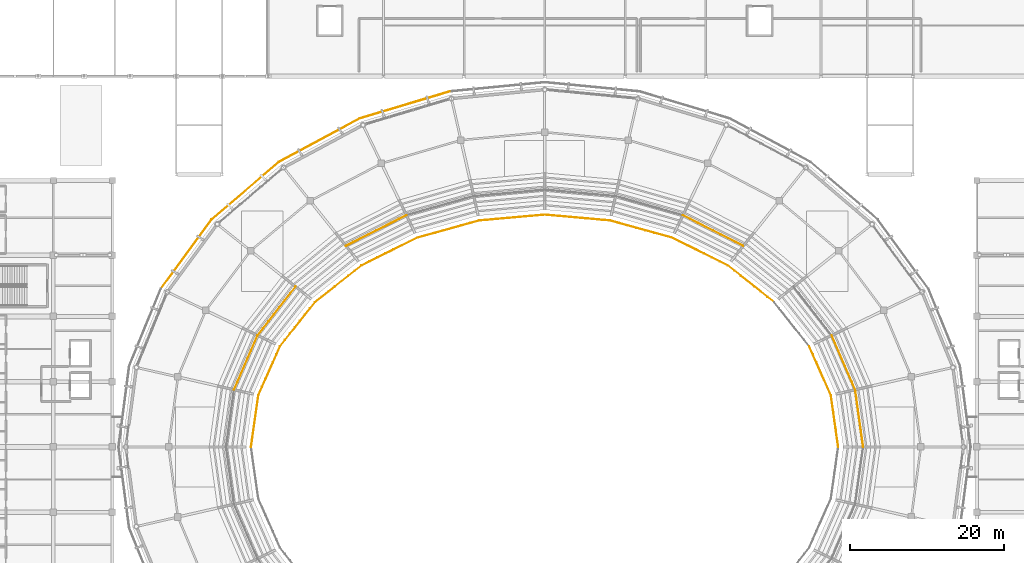
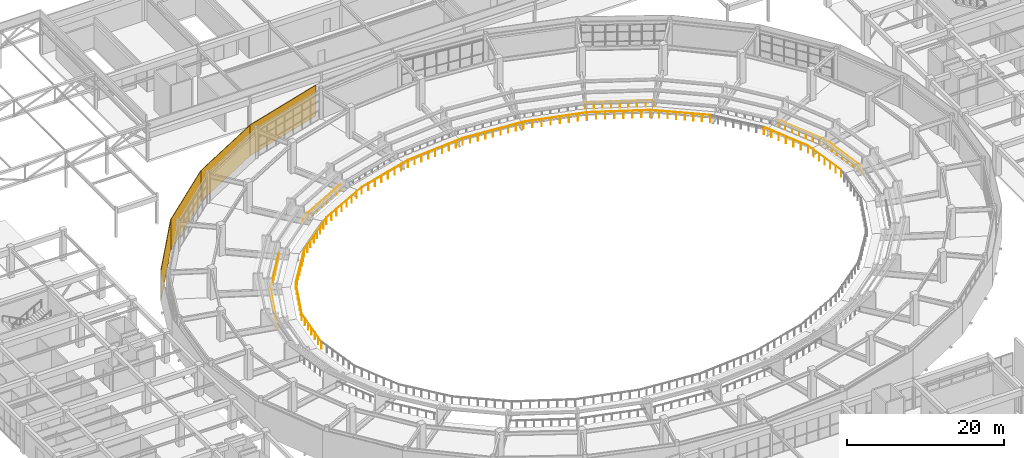
# One storey, part 117 of 122: 19 railings, 4 coverings.
"""IFC4 building model written with IfcOpenShell, lengths in metres."""

import ifcopenshell
import ifcopenshell.guid

model = None  # the IFC model being written
_history = None  # IfcOwnerHistory: only IFC2X3 demands one
_inside = {}  # id of a spatial element -> (the spatial element, [elements in it])
_under = {}  # id of a project, library or spatial element -> (it, [spatial elements below it])
_declared = {}  # id of a project -> (the project, [libraries it declares])
_typed = {}  # id of a type object -> (the type object, [elements of that type])
_made_of = {}  # id of a material, layer set ... -> (it, [elements and type objects made of it])


def new_model(schema):
    """Start an empty IFC model of exactly this schema.

    Asked for "IFC4X3", IfcOpenShell would pick the latest addendum, in which some entities
    have other attributes; the version numbers below select the first issue.
    IFC2X3 requires an IfcOwnerHistory on every rooted entity: one is made here for all.
    """
    global model, _history
    if schema == "IFC4X3":
        model = ifcopenshell.file(schema_version=(4, 3, 0, 0))
    else:
        model = ifcopenshell.file(schema=schema)
    _inside.clear()
    _under.clear()
    _declared.clear()
    _typed.clear()
    _made_of.clear()
    _history = None
    if model.schema == "IFC2X3":
        org = make("IfcOrganization", Name="unknown")
        user = make(
            "IfcPersonAndOrganization",
            ThePerson=make("IfcPerson", FamilyName="unknown"),
            TheOrganization=org,
        )
        app = make(
            "IfcApplication",
            ApplicationDeveloper=org,
            Version="unknown",
            ApplicationFullName="unknown",
            ApplicationIdentifier="unknown",
        )
        _history = make(
            "IfcOwnerHistory",
            OwningUser=user,
            OwningApplication=app,
            ChangeAction="ADDED",
            CreationDate=0,
        )
    return model


def make(cls, **values):
    """One entity of the class cls with the attributes given. An attribute that is None is left unset."""
    return model.create_entity(
        cls, **{name: value for name, value in values.items() if value is not None}
    )


def rooted(cls, **values):
    """An entity with a GlobalId (a new one), such as an element, a storey or a relation."""
    return make(cls, GlobalId=ifcopenshell.guid.new(), OwnerHistory=_history, **values)


def si_unit(unit_type, name, prefix=None):
    """IfcSIUnit, for example si_unit("LENGTHUNIT", "METRE", prefix="MILLI")."""
    return make("IfcSIUnit", UnitType=unit_type, Prefix=prefix, Name=name)


def assignment(units):
    """IfcUnitAssignment: the units of a project."""
    return None if units is None else make("IfcUnitAssignment", Units=units)


def point(xyz):
    """IfcCartesianPoint."""
    return None if xyz is None else make("IfcCartesianPoint", Coordinates=xyz)


def direction(xyz):
    """IfcDirection."""
    return None if xyz is None else make("IfcDirection", DirectionRatios=xyz)


def frame(location, z_axis=None, x_axis=None):
    """IfcAxis2Placement3D, a coordinate frame: its origin and axes. An axis left out is left unset."""
    return make(
        "IfcAxis2Placement3D",
        Location=point(location),
        Axis=direction(z_axis),
        RefDirection=direction(x_axis),
    )


def frame_2d(location, x_axis=None):
    """IfcAxis2Placement2D, a coordinate frame in the plane: its origin and x axis."""
    return make(
        "IfcAxis2Placement2D", Location=point(location), RefDirection=direction(x_axis)
    )


def origin():
    """The frame at (0, 0, 0) with its axes left unset."""
    return frame((0.0, 0.0, 0.0))


def origin_2d():
    """The frame at (0, 0) in the plane with its x axis left unset."""
    return frame_2d((0.0, 0.0))


def place(relative_to, where):
    """IfcLocalPlacement: puts the frame where relative to a parent placement (None: the world)."""
    return make(
        "IfcLocalPlacement", PlacementRelTo=relative_to, RelativePlacement=where
    )


def context(
    kind, dimensions, precision=None, world=None, true_north=None, identifier=None
):
    """IfcGeometricRepresentationContext, for example the 3D "Model" context."""
    return make(
        "IfcGeometricRepresentationContext",
        ContextIdentifier=identifier,
        ContextType=kind,
        CoordinateSpaceDimension=dimensions,
        Precision=precision,
        WorldCoordinateSystem=world,
        TrueNorth=true_north,
    )


def subcontext(parent, identifier, kind, view, scale=None):
    """IfcGeometricRepresentationSubContext, for example "Body" below "Model"."""
    return make(
        "IfcGeometricRepresentationSubContext",
        ContextIdentifier=identifier,
        ContextType=kind,
        ParentContext=parent,
        TargetScale=scale,
        TargetView=view,
    )


def project(units=None, contexts=None):
    """IfcProject with its units and contexts."""
    return rooted(
        "IfcProject",
        Name="project",
        RepresentationContexts=contexts,
        UnitsInContext=assignment(units),
    )


def spatial(cls, under=None, at=None, **own):
    """A site, building, storey or space (cls), placed at a placement, below another one or the project."""
    s = rooted(cls, ObjectPlacement=at, **own)
    if under is not None:
        _under.setdefault(under.id(), (under, []))[1].append(s)
    return s


def profile(cls, at=None, kind="AREA", **sizes):
    """A parametric profile (cls). Its sizes go by their IFC names, for example OverallWidth=200.0."""
    return make(cls, ProfileType=kind, Position=at, **sizes)


def rectangle(**sizes):
    """IfcRectangleProfileDef."""
    return profile("IfcRectangleProfileDef", **sizes)


def circle(**sizes):
    """IfcCircleProfileDef."""
    return profile("IfcCircleProfileDef", **sizes)


def extrude(swept, where, along, depth):
    """IfcExtrudedAreaSolid: the profile swept, set in the frame where, extruded along a direction by depth."""
    return make(
        "IfcExtrudedAreaSolid",
        SweptArea=swept,
        Position=where,
        ExtrudedDirection=direction(along),
        Depth=depth,
    )


def shape(context_of_items, identifier, shape_type, items):
    """IfcShapeRepresentation: the items that make up one representation, for example the "Body"."""
    return make(
        "IfcShapeRepresentation",
        ContextOfItems=context_of_items,
        RepresentationIdentifier=identifier,
        RepresentationType=shape_type,
        Items=items,
    )


def material(Name=None, Category=None):
    """IfcMaterial."""
    return make("IfcMaterial", Name=Name, Category=Category)


def layer(
    of_material, thickness, ventilated=None, Name=None, Category=None, Priority=None
):
    """IfcMaterialLayer: one layer of a wall or slab, of a material (None: an air gap)."""
    return make(
        "IfcMaterialLayer",
        Material=of_material,
        LayerThickness=thickness,
        IsVentilated=ventilated,
        Name=Name,
        Category=Category,
        Priority=Priority,
    )


def layer_set(layers, Name=None):
    """IfcMaterialLayerSet."""
    return make("IfcMaterialLayerSet", MaterialLayers=layers, LayerSetName=Name)


def made_of(thing, what):
    """Note that an element or type object is made of a material, layer set ...; save() writes the relation."""
    if what is not None:
        _made_of.setdefault(what.id(), (what, []))[1].append(thing)
    return thing


def type_object(cls, material=None, **own):
    """A type object (cls), such as IfcWallType, which elements share."""
    return made_of(rooted(cls, **own), material)


def element(
    cls,
    number,
    at=None,
    inside=None,
    cuts=None,
    type_object=None,
    material=None,
    context=None,
    identifier="Body",
    shape_type=None,
    held_by="IfcProductDefinitionShape",
    body=None,
    shapes=None,
    **own,
):
    """One element of the class cls, such as IfcWall. Its Tag is "e" and its number.

    at: its placement. inside: the storey or other place that contains it. cuts: it is an
    opening in that element (IfcRelVoidsElement). A single representation is given by context,
    identifier, shape_type and body (its items); several are given by shapes. held_by: the class
    of the entity that holds the representations. save() writes the other relations.
    """
    e = rooted(cls, Tag="e%d" % number, ObjectPlacement=at, **own)
    if body is not None:
        shapes = [shape(context, identifier, shape_type, body)]
    if shapes is not None:
        e.Representation = make(held_by, Representations=shapes)
    if inside is not None:
        _inside.setdefault(inside.id(), (inside, []))[1].append(e)
    if cuts is not None:
        rooted(
            "IfcRelVoidsElement", RelatingBuildingElement=cuts, RelatedOpeningElement=e
        )
    if type_object is not None:
        _typed.setdefault(type_object.id(), (type_object, []))[1].append(e)
    return made_of(e, material)


def aggregate(whole, parts):
    """IfcRelAggregates: a whole, such as a stair, and the parts it consists of."""
    return rooted("IfcRelAggregates", RelatingObject=whole, RelatedObjects=parts)


def save(model, path):
    """Write the relations noted so far, then the file.

    IfcRelAggregates (storeys below a building ...), IfcRelContainedInSpatialStructure (elements
    in a storey), IfcRelDefinesByType, IfcRelAssociatesMaterial and IfcRelDeclares: one each for
    every whole, place, type object, material and project.
    """
    for whole, parts in _under.values():
        aggregate(whole, parts)
    for where, things in _inside.values():
        rooted(
            "IfcRelContainedInSpatialStructure",
            RelatedElements=things,
            RelatingStructure=where,
        )
    for kind, things in _typed.values():
        rooted("IfcRelDefinesByType", RelatedObjects=things, RelatingType=kind)
    for what, things in _made_of.values():
        rooted("IfcRelAssociatesMaterial", RelatedObjects=things, RelatingMaterial=what)
    for by, libraries in _declared.values():
        rooted("IfcRelDeclares", RelatingContext=by, RelatedDefinitions=libraries)
    model.write(path)


model = new_model("IFC4")

# Units and contexts
model_context = context("Model", 3, precision=1e-05, world=origin(), true_north=direction((0.0, 1.0)))
body_context = subcontext(model_context, "Body", "Model", "MODEL_VIEW")
ifc_project = project(units=[si_unit("LENGTHUNIT", "METRE"), si_unit("AREAUNIT", "SQUARE_METRE"), si_unit("VOLUMEUNIT", "CUBIC_METRE"), si_unit("PLANEANGLEUNIT", "RADIAN"), si_unit("MASSUNIT", "GRAM", prefix="KILO")], contexts=[model_context])

# Site, building, storey
site_placement = place(None, origin())
site = spatial("IfcSite", under=ifc_project, at=site_placement, CompositionType="ELEMENT")
building_placement = place(site_placement, origin())
building = spatial("IfcBuilding", under=site, at=building_placement, Name="Cuetzalor Civic Arena", CompositionType="ELEMENT")
storey_placement = place(building_placement, frame((0.0, 0.0, 16.199951171875)))
storey = spatial("IfcBuildingStorey", under=building, at=storey_placement, Name="L03", CompositionType="ELEMENT", Elevation=16.199951171875)

# Railings
ifc_material_1 = material(Name="Reseda-green Steel S355 and laminated glass guard", Category="steel")
railing_type = type_object("IfcRailingType", Name="BowlSightlineGuard_1100", PredefinedType="BALUSTRADE", material=ifc_material_1)
railing_1_placement = place(storey_placement, frame((38.25, 0.0, 0.75)))
element("IfcRailing", 1, at=railing_1_placement, inside=storey, type_object=railing_type, Name="Upper Bowl Cantilever Sightline Guard S01", PredefinedType="BALUSTRADE", context=body_context, shape_type="SweptSolid", body=[
    extrude(circle(Radius=0.02392578125, at=origin_2d()), frame((0.0, 0.0, 1.076171875), z_axis=(-0.141044318144, 0.990003282984, 0.0), x_axis=(-0.990003282984, -0.141044318144, 0.0)), (0.0, 0.0, 1.0), 6.799072265625),
    extrude(circle(Radius=0.02099609375, at=origin_2d()), origin(), (0.0, 0.0, 1.0), 1.052001953125),
    extrude(circle(Radius=0.02099609375, at=origin_2d()), frame((-0.159912109375, 1.121826171875, 0.0)), (0.0, 0.0, 1.0), 1.052001953125),
    extrude(circle(Radius=0.02099609375, at=origin_2d()), frame((-0.319580078125, 2.24365234375, 0.0)), (0.0, 0.0, 1.0), 1.052001953125),
    extrude(circle(Radius=0.02099609375, at=origin_2d()), frame((-0.4794921875, 3.36572265625, 0.0)), (0.0, 0.0, 1.0), 1.052001953125),
    extrude(circle(Radius=0.02099609375, at=origin_2d()), frame((-0.639404296875, 4.487548828125, 0.0)), (0.0, 0.0, 1.0), 1.052001953125),
    extrude(circle(Radius=0.02099609375, at=origin_2d()), frame((-0.799072265625, 5.609375, 0.0)), (0.0, 0.0, 1.0), 1.052001953125),
    extrude(circle(Radius=0.02099609375, at=origin_2d()), frame((-0.958984375, 6.731201171875, 0.0)), (0.0, 0.0, 1.0), 1.052001953125),
])
railing_2_placement = place(storey_placement, frame((37.291015625, 6.731201171875, 0.75)))
element("IfcRailing", 2, at=railing_2_placement, inside=storey, type_object=railing_type, Name="Upper Bowl Cantilever Sightline Guard S02", PredefinedType="BALUSTRADE", context=body_context, shape_type="SweptSolid", body=[
    extrude(circle(Radius=0.02392578125, at=origin_2d()), frame((0.0, 0.0, 1.076171875), z_axis=(-0.404605422737, 0.914491362393, 0.0), x_axis=(-0.914491362393, -0.404605422737, 0.0)), (0.0, 0.0, 1.0), 6.99169921875),
    extrude(circle(Radius=0.02099609375, at=origin_2d()), origin(), (0.0, 0.0, 1.0), 1.052001953125),
    extrude(circle(Radius=0.02099609375, at=origin_2d()), frame((-0.471435546875, 1.065673828125, 0.0)), (0.0, 0.0, 1.0), 1.052001953125),
    extrude(circle(Radius=0.02099609375, at=origin_2d()), frame((-0.94287109375, 2.13134765625, 0.0)), (0.0, 0.0, 1.0), 1.052001953125),
    extrude(circle(Radius=0.02099609375, at=origin_2d()), frame((-1.41455078125, 3.19677734375, 0.0)), (0.0, 0.0, 1.0), 1.052001953125),
    extrude(circle(Radius=0.02099609375, at=origin_2d()), frame((-1.885986328125, 4.262451171875, 0.0)), (0.0, 0.0, 1.0), 1.052001953125),
    extrude(circle(Radius=0.02099609375, at=origin_2d()), frame((-2.357421875, 5.328125, 0.0)), (0.0, 0.0, 1.0), 1.052001953125),
    extrude(circle(Radius=0.02099609375, at=origin_2d()), frame((-2.828857421875, 6.393798828125, 0.0)), (0.0, 0.0, 1.0), 1.052001953125),
])
railing_3_placement = place(storey_placement, frame((29.905029296875, 18.860595703125, 0.75)))
element("IfcRailing", 3, at=railing_3_placement, inside=storey, type_object=railing_type, Name="Upper Bowl Cantilever Sightline Guard S04", PredefinedType="BALUSTRADE", context=body_context, shape_type="SweptSolid", body=[
    extrude(circle(Radius=0.02392578125, at=origin_2d()), frame((0.0, 0.0, 1.076171875), z_axis=(-0.784363717402, 0.620301183961, 0.0), x_axis=(-0.620301183961, -0.784363717402, 0.0)), (0.0, 0.0, 1.0), 7.7216796875),
    extrude(circle(Radius=0.02099609375, at=origin_2d()), origin(), (0.0, 0.0, 1.0), 1.052001953125),
    extrude(circle(Radius=0.02099609375, at=origin_2d()), frame((-0.865234375, 0.684326171875, 0.0)), (0.0, 0.0, 1.0), 1.052001953125),
    extrude(circle(Radius=0.02099609375, at=origin_2d()), frame((-1.73046875, 1.368408203125, 0.0)), (0.0, 0.0, 1.0), 1.052001953125),
    extrude(circle(Radius=0.02099609375, at=origin_2d()), frame((-2.595703125, 2.052734375, 0.0)), (0.0, 0.0, 1.0), 1.052001953125),
    extrude(circle(Radius=0.02099609375, at=origin_2d()), frame((-3.4609375, 2.737060546875, 0.0)), (0.0, 0.0, 1.0), 1.052001953125),
    extrude(circle(Radius=0.02099609375, at=origin_2d()), frame((-4.326171875, 3.42138671875, 0.0)), (0.0, 0.0, 1.0), 1.052001953125),
    extrude(circle(Radius=0.02099609375, at=origin_2d()), frame((-5.19140625, 4.10546875, 0.0)), (0.0, 0.0, 1.0), 1.052001953125),
    extrude(circle(Radius=0.02099609375, at=origin_2d()), frame((-6.056640625, 4.789794921875, 0.0)), (0.0, 0.0, 1.0), 1.052001953125),
])
railing_4_placement = place(storey_placement, frame((23.848388671875, 23.650390625, 0.75)))
element("IfcRailing", 4, at=railing_4_placement, inside=storey, type_object=railing_type, Name="Upper Bowl Cantilever Sightline Guard S05", PredefinedType="BALUSTRADE", context=body_context, shape_type="SweptSolid", body=[
    extrude(circle(Radius=0.02392578125, at=origin_2d()), frame((0.0, 0.0, 1.076171875), z_axis=(-0.895515848324, 0.445029623059, 0.0), x_axis=(-0.445029623059, -0.895515848324, 0.0)), (0.0, 0.0, 1.0), 8.098388671875),
    extrude(circle(Radius=0.02099609375, at=origin_2d()), origin(), (0.0, 0.0, 1.0), 1.052001953125),
    extrude(circle(Radius=0.02099609375, at=origin_2d()), frame((-1.0361328125, 0.514892578125, 0.0)), (0.0, 0.0, 1.0), 1.052001953125),
    extrude(circle(Radius=0.02099609375, at=origin_2d()), frame((-2.072021484375, 1.02978515625, 0.0)), (0.0, 0.0, 1.0), 1.052001953125),
    extrude(circle(Radius=0.02099609375, at=origin_2d()), frame((-3.108154296875, 1.544677734375, 0.0)), (0.0, 0.0, 1.0), 1.052001953125),
    extrude(circle(Radius=0.02099609375, at=origin_2d()), frame((-4.14404296875, 2.059326171875, 0.0)), (0.0, 0.0, 1.0), 1.052001953125),
    extrude(circle(Radius=0.02099609375, at=origin_2d()), frame((-5.18017578125, 2.57421875, 0.0)), (0.0, 0.0, 1.0), 1.052001953125),
    extrude(circle(Radius=0.02099609375, at=origin_2d()), frame((-6.216064453125, 3.089111328125, 0.0)), (0.0, 0.0, 1.0), 1.052001953125),
    extrude(circle(Radius=0.02099609375, at=origin_2d()), frame((-7.252197265625, 3.60400390625, 0.0)), (0.0, 0.0, 1.0), 1.052001953125),
])
railing_5_placement = place(storey_placement, frame((16.59619140625, 27.25439453125, 0.75)))
element("IfcRailing", 5, at=railing_5_placement, inside=storey, type_object=railing_type, Name="Upper Bowl Cantilever Sightline Guard S06", PredefinedType="BALUSTRADE", context=body_context, shape_type="SweptSolid", body=[
    extrude(circle(Radius=0.02392578125, at=origin_2d()), frame((0.0, 0.0, 1.076171875), z_axis=(-0.963777223135, 0.266708575353, 0.0), x_axis=(-0.266708575353, -0.963777223135, 0.0)), (0.0, 0.0, 1.0), 8.388671875),
    extrude(circle(Radius=0.02099609375, at=origin_2d()), origin(), (0.0, 0.0, 1.0), 1.052001953125),
    extrude(circle(Radius=0.02099609375, at=origin_2d()), frame((-1.155029296875, 0.319580078125, 0.0)), (0.0, 0.0, 1.0), 1.052001953125),
    extrude(circle(Radius=0.02099609375, at=origin_2d()), frame((-2.309814453125, 0.63916015625, 0.0)), (0.0, 0.0, 1.0), 1.052001953125),
    extrude(circle(Radius=0.02099609375, at=origin_2d()), frame((-3.46484375, 0.958740234375, 0.0)), (0.0, 0.0, 1.0), 1.052001953125),
    extrude(circle(Radius=0.02099609375, at=origin_2d()), frame((-4.619873046875, 1.278564453125, 0.0)), (0.0, 0.0, 1.0), 1.052001953125),
    extrude(circle(Radius=0.02099609375, at=origin_2d()), frame((-5.77490234375, 1.59814453125, 0.0)), (0.0, 0.0, 1.0), 1.052001953125),
    extrude(circle(Radius=0.02099609375, at=origin_2d()), frame((-6.9296875, 1.917724609375, 0.0)), (0.0, 0.0, 1.0), 1.052001953125),
    extrude(circle(Radius=0.02099609375, at=origin_2d()), frame((-8.084716796875, 2.2373046875, 0.0)), (0.0, 0.0, 1.0), 1.052001953125),
])
railing_6_placement = place(storey_placement, frame((8.511474609375, 29.49169921875, 0.75)))
element("IfcRailing", 6, at=railing_6_placement, inside=storey, type_object=railing_type, Name="Upper Bowl Cantilever Sightline Guard S07", PredefinedType="BALUSTRADE", context=body_context, shape_type="SweptSolid", body=[
    extrude(circle(Radius=0.02392578125, at=origin_2d()), frame((0.0, 0.0, 1.076171875), z_axis=(-0.996054814705, 0.08874010425, 0.0), x_axis=(-0.08874010425, -0.996054814705, 0.0)), (0.0, 0.0, 1.0), 8.545166015625),
    extrude(circle(Radius=0.02099609375, at=origin_2d()), origin(), (0.0, 0.0, 1.0), 1.052001953125),
    extrude(circle(Radius=0.02099609375, at=origin_2d()), frame((-1.06396484375, 0.0947265625, 0.0)), (0.0, 0.0, 1.0), 1.052001953125),
    extrude(circle(Radius=0.02099609375, at=origin_2d()), frame((-2.1279296875, 0.189453125, 0.0)), (0.0, 0.0, 1.0), 1.052001953125),
    extrude(circle(Radius=0.02099609375, at=origin_2d()), frame((-3.19189453125, 0.284423828125, 0.0)), (0.0, 0.0, 1.0), 1.052001953125),
    extrude(circle(Radius=0.02099609375, at=origin_2d()), frame((-4.255859375, 0.379150390625, 0.0)), (0.0, 0.0, 1.0), 1.052001953125),
    extrude(circle(Radius=0.02099609375, at=origin_2d()), frame((-5.319580078125, 0.473876953125, 0.0)), (0.0, 0.0, 1.0), 1.052001953125),
    extrude(circle(Radius=0.02099609375, at=origin_2d()), frame((-6.383544921875, 0.56884765625, 0.0)), (0.0, 0.0, 1.0), 1.052001953125),
    extrude(circle(Radius=0.02099609375, at=origin_2d()), frame((-7.447509765625, 0.66357421875, 0.0)), (0.0, 0.0, 1.0), 1.052001953125),
    extrude(circle(Radius=0.02099609375, at=origin_2d()), frame((-8.511474609375, 0.75830078125, 0.0)), (0.0, 0.0, 1.0), 1.052001953125),
])
railing_7_placement = place(storey_placement, frame((0.0, 30.25, 0.75)))
element("IfcRailing", 7, at=railing_7_placement, inside=storey, type_object=railing_type, Name="Upper Bowl Cantilever Sightline Guard S08", PredefinedType="BALUSTRADE", context=body_context, shape_type="SweptSolid", body=[
    extrude(circle(Radius=0.02392578125, at=origin_2d()), frame((0.0, 0.0, 1.076171875), z_axis=(-0.996054814705, -0.08874010425, 0.0), x_axis=(0.08874010425, -0.996054814705, 0.0)), (0.0, 0.0, 1.0), 8.545166015625),
    extrude(circle(Radius=0.02099609375, at=origin_2d()), origin(), (0.0, 0.0, 1.0), 1.052001953125),
    extrude(circle(Radius=0.02099609375, at=origin_2d()), frame((-1.06396484375, -0.0947265625, 0.0)), (0.0, 0.0, 1.0), 1.052001953125),
    extrude(circle(Radius=0.02099609375, at=origin_2d()), frame((-2.1279296875, -0.189453125, 0.0)), (0.0, 0.0, 1.0), 1.052001953125),
    extrude(circle(Radius=0.02099609375, at=origin_2d()), frame((-3.19189453125, -0.284423828125, 0.0)), (0.0, 0.0, 1.0), 1.052001953125),
    extrude(circle(Radius=0.02099609375, at=origin_2d()), frame((-4.255859375, -0.379150390625, 0.0)), (0.0, 0.0, 1.0), 1.052001953125),
    extrude(circle(Radius=0.02099609375, at=origin_2d()), frame((-5.319580078125, -0.473876953125, 0.0)), (0.0, 0.0, 1.0), 1.052001953125),
    extrude(circle(Radius=0.02099609375, at=origin_2d()), frame((-6.383544921875, -0.56884765625, 0.0)), (0.0, 0.0, 1.0), 1.052001953125),
    extrude(circle(Radius=0.02099609375, at=origin_2d()), frame((-7.447509765625, -0.66357421875, 0.0)), (0.0, 0.0, 1.0), 1.052001953125),
    extrude(circle(Radius=0.02099609375, at=origin_2d()), frame((-8.511474609375, -0.75830078125, 0.0)), (0.0, 0.0, 1.0), 1.052001953125),
])
railing_8_placement = place(storey_placement, frame((-8.511474609375, 29.49169921875, 0.75)))
element("IfcRailing", 8, at=railing_8_placement, inside=storey, type_object=railing_type, Name="Upper Bowl Cantilever Sightline Guard S09", PredefinedType="BALUSTRADE", context=body_context, shape_type="SweptSolid", body=[
    extrude(circle(Radius=0.02392578125, at=origin_2d()), frame((0.0, 0.0, 1.076171875), z_axis=(-0.963777223135, -0.266708575353, 0.0), x_axis=(0.266708575353, -0.963777223135, 0.0)), (0.0, 0.0, 1.0), 8.388671875),
    extrude(circle(Radius=0.02099609375, at=origin_2d()), origin(), (0.0, 0.0, 1.0), 1.052001953125),
    extrude(circle(Radius=0.02099609375, at=origin_2d()), frame((-1.155029296875, -0.319580078125, 0.0)), (0.0, 0.0, 1.0), 1.052001953125),
    extrude(circle(Radius=0.02099609375, at=origin_2d()), frame((-2.309814453125, -0.63916015625, 0.0)), (0.0, 0.0, 1.0), 1.052001953125),
    extrude(circle(Radius=0.02099609375, at=origin_2d()), frame((-3.46484375, -0.958740234375, 0.0)), (0.0, 0.0, 1.0), 1.052001953125),
    extrude(circle(Radius=0.02099609375, at=origin_2d()), frame((-4.619873046875, -1.278564453125, 0.0)), (0.0, 0.0, 1.0), 1.052001953125),
    extrude(circle(Radius=0.02099609375, at=origin_2d()), frame((-5.77490234375, -1.59814453125, 0.0)), (0.0, 0.0, 1.0), 1.052001953125),
    extrude(circle(Radius=0.02099609375, at=origin_2d()), frame((-6.9296875, -1.917724609375, 0.0)), (0.0, 0.0, 1.0), 1.052001953125),
    extrude(circle(Radius=0.02099609375, at=origin_2d()), frame((-8.084716796875, -2.2373046875, 0.0)), (0.0, 0.0, 1.0), 1.052001953125),
])
railing_9_placement = place(storey_placement, frame((-16.59619140625, 27.25439453125, 0.75)))
element("IfcRailing", 9, at=railing_9_placement, inside=storey, type_object=railing_type, Name="Upper Bowl Cantilever Sightline Guard S10", PredefinedType="BALUSTRADE", context=body_context, shape_type="SweptSolid", body=[
    extrude(circle(Radius=0.02392578125, at=origin_2d()), frame((0.0, 0.0, 1.076171875), z_axis=(-0.895515848324, -0.445029623059, 0.0), x_axis=(0.445029623059, -0.895515848324, 0.0)), (0.0, 0.0, 1.0), 8.098388671875),
    extrude(circle(Radius=0.02099609375, at=origin_2d()), origin(), (0.0, 0.0, 1.0), 1.052001953125),
    extrude(circle(Radius=0.02099609375, at=origin_2d()), frame((-1.0361328125, -0.514892578125, 0.0)), (0.0, 0.0, 1.0), 1.052001953125),
    extrude(circle(Radius=0.02099609375, at=origin_2d()), frame((-2.072021484375, -1.02978515625, 0.0)), (0.0, 0.0, 1.0), 1.052001953125),
    extrude(circle(Radius=0.02099609375, at=origin_2d()), frame((-3.108154296875, -1.544677734375, 0.0)), (0.0, 0.0, 1.0), 1.052001953125),
    extrude(circle(Radius=0.02099609375, at=origin_2d()), frame((-4.14404296875, -2.059326171875, 0.0)), (0.0, 0.0, 1.0), 1.052001953125),
    extrude(circle(Radius=0.02099609375, at=origin_2d()), frame((-5.18017578125, -2.57421875, 0.0)), (0.0, 0.0, 1.0), 1.052001953125),
    extrude(circle(Radius=0.02099609375, at=origin_2d()), frame((-6.216064453125, -3.089111328125, 0.0)), (0.0, 0.0, 1.0), 1.052001953125),
    extrude(circle(Radius=0.02099609375, at=origin_2d()), frame((-7.252197265625, -3.60400390625, 0.0)), (0.0, 0.0, 1.0), 1.052001953125),
])
railing_10_placement = place(storey_placement, frame((-23.848388671875, 23.650390625, 0.75)))
element("IfcRailing", 10, at=railing_10_placement, inside=storey, type_object=railing_type, Name="Upper Bowl Cantilever Sightline Guard S11", PredefinedType="BALUSTRADE", context=body_context, shape_type="SweptSolid", body=[
    extrude(circle(Radius=0.02392578125, at=origin_2d()), frame((0.0, 0.0, 1.076171875), z_axis=(-0.784363717402, -0.620301183961, 0.0), x_axis=(0.620301183961, -0.784363717402, 0.0)), (0.0, 0.0, 1.0), 7.7216796875),
    extrude(circle(Radius=0.02099609375, at=origin_2d()), origin(), (0.0, 0.0, 1.0), 1.052001953125),
    extrude(circle(Radius=0.02099609375, at=origin_2d()), frame((-0.865234375, -0.684326171875, 0.0)), (0.0, 0.0, 1.0), 1.052001953125),
    extrude(circle(Radius=0.02099609375, at=origin_2d()), frame((-1.73046875, -1.368408203125, 0.0)), (0.0, 0.0, 1.0), 1.052001953125),
    extrude(circle(Radius=0.02099609375, at=origin_2d()), frame((-2.595703125, -2.052734375, 0.0)), (0.0, 0.0, 1.0), 1.052001953125),
    extrude(circle(Radius=0.02099609375, at=origin_2d()), frame((-3.4609375, -2.737060546875, 0.0)), (0.0, 0.0, 1.0), 1.052001953125),
    extrude(circle(Radius=0.02099609375, at=origin_2d()), frame((-4.326171875, -3.42138671875, 0.0)), (0.0, 0.0, 1.0), 1.052001953125),
    extrude(circle(Radius=0.02099609375, at=origin_2d()), frame((-5.19140625, -4.10546875, 0.0)), (0.0, 0.0, 1.0), 1.052001953125),
    extrude(circle(Radius=0.02099609375, at=origin_2d()), frame((-6.056640625, -4.789794921875, 0.0)), (0.0, 0.0, 1.0), 1.052001953125),
])
railing_11_placement = place(storey_placement, frame((-29.905029296875, 18.860595703125, 0.75)))
element("IfcRailing", 11, at=railing_11_placement, inside=storey, type_object=railing_type, Name="Upper Bowl Cantilever Sightline Guard S12", PredefinedType="BALUSTRADE", context=body_context, shape_type="SweptSolid", body=[
    extrude(circle(Radius=0.02392578125, at=origin_2d()), frame((0.0, 0.0, 1.076171875), z_axis=(-0.622082297612, -0.782951859949, 0.0), x_axis=(0.782951859949, -0.622082297612, 0.0)), (0.0, 0.0, 1.0), 7.32568359375),
    extrude(circle(Radius=0.02099609375, at=origin_2d()), origin(), (0.0, 0.0, 1.0), 1.052001953125),
    extrude(circle(Radius=0.02099609375, at=origin_2d()), frame((-0.651123046875, -0.8193359375, 0.0)), (0.0, 0.0, 1.0), 1.052001953125),
    extrude(circle(Radius=0.02099609375, at=origin_2d()), frame((-1.302001953125, -1.638671875, 0.0)), (0.0, 0.0, 1.0), 1.052001953125),
    extrude(circle(Radius=0.02099609375, at=origin_2d()), frame((-1.953125, -2.4580078125, 0.0)), (0.0, 0.0, 1.0), 1.052001953125),
    extrude(circle(Radius=0.02099609375, at=origin_2d()), frame((-2.60400390625, -3.277587890625, 0.0)), (0.0, 0.0, 1.0), 1.052001953125),
    extrude(circle(Radius=0.02099609375, at=origin_2d()), frame((-3.255126953125, -4.096923828125, 0.0)), (0.0, 0.0, 1.0), 1.052001953125),
    extrude(circle(Radius=0.02099609375, at=origin_2d()), frame((-3.906005859375, -4.916259765625, 0.0)), (0.0, 0.0, 1.0), 1.052001953125),
    extrude(circle(Radius=0.02099609375, at=origin_2d()), frame((-4.55712890625, -5.735595703125, 0.0)), (0.0, 0.0, 1.0), 1.052001953125),
])
railing_12_placement = place(storey_placement, frame((-34.462158203125, 13.125, 0.75)))
element("IfcRailing", 12, at=railing_12_placement, inside=storey, type_object=railing_type, Name="Upper Bowl Cantilever Sightline Guard S13", PredefinedType="BALUSTRADE", context=body_context, shape_type="SweptSolid", body=[
    extrude(circle(Radius=0.02392578125, at=origin_2d()), frame((0.0, 0.0, 1.076171875), z_axis=(-0.404605422737, -0.914491362393, 0.0), x_axis=(0.914491362393, -0.404605422737, 0.0)), (0.0, 0.0, 1.0), 6.99169921875),
    extrude(circle(Radius=0.02099609375, at=origin_2d()), origin(), (0.0, 0.0, 1.0), 1.052001953125),
    extrude(circle(Radius=0.02099609375, at=origin_2d()), frame((-0.471435546875, -1.065673828125, 0.0)), (0.0, 0.0, 1.0), 1.052001953125),
    extrude(circle(Radius=0.02099609375, at=origin_2d()), frame((-0.94287109375, -2.13134765625, 0.0)), (0.0, 0.0, 1.0), 1.052001953125),
    extrude(circle(Radius=0.02099609375, at=origin_2d()), frame((-1.41455078125, -3.19677734375, 0.0)), (0.0, 0.0, 1.0), 1.052001953125),
    extrude(circle(Radius=0.02099609375, at=origin_2d()), frame((-1.885986328125, -4.262451171875, 0.0)), (0.0, 0.0, 1.0), 1.052001953125),
    extrude(circle(Radius=0.02099609375, at=origin_2d()), frame((-2.357421875, -5.328125, 0.0)), (0.0, 0.0, 1.0), 1.052001953125),
    extrude(circle(Radius=0.02099609375, at=origin_2d()), frame((-2.828857421875, -6.393798828125, 0.0)), (0.0, 0.0, 1.0), 1.052001953125),
])
railing_13_placement = place(storey_placement, frame((-37.291015625, 6.731201171875, 0.75)))
element("IfcRailing", 13, at=railing_13_placement, inside=storey, type_object=railing_type, Name="Upper Bowl Cantilever Sightline Guard S14", PredefinedType="BALUSTRADE", context=body_context, shape_type="SweptSolid", body=[
    extrude(circle(Radius=0.02392578125, at=origin_2d()), frame((0.0, 0.0, 1.076171875), z_axis=(-0.141044318144, -0.990003282984, 0.0), x_axis=(0.990003282984, -0.141044318144, 0.0)), (0.0, 0.0, 1.0), 6.799072265625),
    extrude(circle(Radius=0.02099609375, at=origin_2d()), origin(), (0.0, 0.0, 1.0), 1.052001953125),
    extrude(circle(Radius=0.02099609375, at=origin_2d()), frame((-0.159912109375, -1.121826171875, 0.0)), (0.0, 0.0, 1.0), 1.052001953125),
    extrude(circle(Radius=0.02099609375, at=origin_2d()), frame((-0.319580078125, -2.24365234375, 0.0)), (0.0, 0.0, 1.0), 1.052001953125),
    extrude(circle(Radius=0.02099609375, at=origin_2d()), frame((-0.4794921875, -3.36572265625, 0.0)), (0.0, 0.0, 1.0), 1.052001953125),
    extrude(circle(Radius=0.02099609375, at=origin_2d()), frame((-0.639404296875, -4.487548828125, 0.0)), (0.0, 0.0, 1.0), 1.052001953125),
    extrude(circle(Radius=0.02099609375, at=origin_2d()), frame((-0.799072265625, -5.609375, 0.0)), (0.0, 0.0, 1.0), 1.052001953125),
    extrude(circle(Radius=0.02099609375, at=origin_2d()), frame((-0.958984375, -6.731201171875, 0.0)), (0.0, 0.0, 1.0), 1.052001953125),
])
railing_14_placement = place(storey_placement, frame((41.5, 0.0, 0.0)))
element("IfcRailing", 14, at=railing_14_placement, inside=storey, type_object=railing_type, Name="Upper Concourse Inner Rim Balustrade S01", PredefinedType="BALUSTRADE", context=body_context, shape_type="SweptSolid", body=[
    extrude(circle(Radius=0.02392578125, at=origin_2d()), frame((0.0, 0.0, 1.076171875), z_axis=(-0.138241906656, 0.990398493155, 0.0), x_axis=(-0.990398493155, -0.138241906656, 0.0)), (0.0, 0.0, 1.0), 7.52685546875),
    extrude(circle(Radius=0.02099609375, at=origin_2d()), origin(), (0.0, 0.0, 1.0), 1.052001953125),
    extrude(circle(Radius=0.02099609375, at=origin_2d()), frame((-0.148681640625, 1.06494140625, 0.0)), (0.0, 0.0, 1.0), 1.052001953125),
    extrude(circle(Radius=0.02099609375, at=origin_2d()), frame((-0.29736328125, 2.1298828125, 0.0)), (0.0, 0.0, 1.0), 1.052001953125),
    extrude(circle(Radius=0.02099609375, at=origin_2d()), frame((-0.446044921875, 3.19482421875, 0.0)), (0.0, 0.0, 1.0), 1.052001953125),
    extrude(circle(Radius=0.02099609375, at=origin_2d()), frame((-0.594482421875, 4.259765625, 0.0)), (0.0, 0.0, 1.0), 1.052001953125),
    extrude(circle(Radius=0.02099609375, at=origin_2d()), frame((-0.7431640625, 5.32470703125, 0.0)), (0.0, 0.0, 1.0), 1.052001953125),
    extrude(circle(Radius=0.02099609375, at=origin_2d()), frame((-0.891845703125, 6.3896484375, 0.0)), (0.0, 0.0, 1.0), 1.052001953125),
    extrude(circle(Radius=0.02099609375, at=origin_2d()), frame((-1.04052734375, 7.45458984375, 0.0)), (0.0, 0.0, 1.0), 1.052001953125),
])
railing_15_placement = place(storey_placement, frame((40.45947265625, 7.45458984375, 0.0)))
element("IfcRailing", 15, at=railing_15_placement, inside=storey, type_object=railing_type, Name="Upper Concourse Inner Rim Balustrade S02", PredefinedType="BALUSTRADE", context=body_context, shape_type="SweptSolid", body=[
    extrude(circle(Radius=0.02392578125, at=origin_2d()), frame((0.0, 0.0, 1.076171875), z_axis=(-0.397726401809, 0.917504065007, 0.0), x_axis=(-0.917504065007, -0.397726401809, 0.0)), (0.0, 0.0, 1.0), 7.71728515625),
    extrude(circle(Radius=0.02099609375, at=origin_2d()), origin(), (0.0, 0.0, 1.0), 1.052001953125),
    extrude(circle(Radius=0.02099609375, at=origin_2d()), frame((-0.4384765625, 1.011474609375, 0.0)), (0.0, 0.0, 1.0), 1.052001953125),
    extrude(circle(Radius=0.02099609375, at=origin_2d()), frame((-0.876953125, 2.02294921875, 0.0)), (0.0, 0.0, 1.0), 1.052001953125),
    extrude(circle(Radius=0.02099609375, at=origin_2d()), frame((-1.3154296875, 3.034423828125, 0.0)), (0.0, 0.0, 1.0), 1.052001953125),
    extrude(circle(Radius=0.02099609375, at=origin_2d()), frame((-1.75390625, 4.046142578125, 0.0)), (0.0, 0.0, 1.0), 1.052001953125),
    extrude(circle(Radius=0.02099609375, at=origin_2d()), frame((-2.1923828125, 5.0576171875, 0.0)), (0.0, 0.0, 1.0), 1.052001953125),
    extrude(circle(Radius=0.02099609375, at=origin_2d()), frame((-2.630859375, 6.069091796875, 0.0)), (0.0, 0.0, 1.0), 1.052001953125),
    extrude(circle(Radius=0.02099609375, at=origin_2d()), frame((-3.0693359375, 7.08056640625, 0.0)), (0.0, 0.0, 1.0), 1.052001953125),
])
railing_16_placement = place(storey_placement, frame((25.874755859375, 26.19140625, 0.0)))
element("IfcRailing", 16, at=railing_16_placement, inside=storey, type_object=railing_type, Name="Upper Concourse Inner Rim Balustrade S05", PredefinedType="BALUSTRADE", context=body_context, shape_type="SweptSolid", body=[
    extrude(circle(Radius=0.02392578125, at=origin_2d()), frame((0.0, 0.0, 1.076171875), z_axis=(-0.891833390372, 0.452364016935, 0.0), x_axis=(-0.452364016935, -0.891833390372, 0.0)), (0.0, 0.0, 1.0), 8.822998046875),
    extrude(circle(Radius=0.02099609375, at=origin_2d()), origin(), (0.0, 0.0, 1.0), 1.052001953125),
    extrude(circle(Radius=0.02099609375, at=origin_2d()), frame((-0.983642578125, 0.4990234375, 0.0)), (0.0, 0.0, 1.0), 1.052001953125),
    extrude(circle(Radius=0.02099609375, at=origin_2d()), frame((-1.96728515625, 0.997802734375, 0.0)), (0.0, 0.0, 1.0), 1.052001953125),
    extrude(circle(Radius=0.02099609375, at=origin_2d()), frame((-2.95068359375, 1.49658203125, 0.0)), (0.0, 0.0, 1.0), 1.052001953125),
    extrude(circle(Radius=0.02099609375, at=origin_2d()), frame((-3.934326171875, 1.99560546875, 0.0)), (0.0, 0.0, 1.0), 1.052001953125),
    extrude(circle(Radius=0.02099609375, at=origin_2d()), frame((-4.91796875, 2.49462890625, 0.0)), (0.0, 0.0, 1.0), 1.052001953125),
    extrude(circle(Radius=0.02099609375, at=origin_2d()), frame((-5.9013671875, 2.993408203125, 0.0)), (0.0, 0.0, 1.0), 1.052001953125),
    extrude(circle(Radius=0.02099609375, at=origin_2d()), frame((-6.885009765625, 3.4921875, 0.0)), (0.0, 0.0, 1.0), 1.052001953125),
    extrude(circle(Radius=0.02099609375, at=origin_2d()), frame((-7.86865234375, 3.9912109375, 0.0)), (0.0, 0.0, 1.0), 1.052001953125),
])
railing_17_placement = place(storey_placement, frame((-18.006103515625, 30.1826171875, 0.0)))
element("IfcRailing", 17, at=railing_17_placement, inside=storey, type_object=railing_type, Name="Upper Concourse Inner Rim Balustrade S10", PredefinedType="BALUSTRADE", context=body_context, shape_type="SweptSolid", body=[
    extrude(circle(Radius=0.02392578125, at=origin_2d()), frame((0.0, 0.0, 1.076171875), z_axis=(-0.891833390372, -0.452364016935, 0.0), x_axis=(0.452364016935, -0.891833390372, 0.0)), (0.0, 0.0, 1.0), 8.822998046875),
    extrude(circle(Radius=0.02099609375, at=origin_2d()), origin(), (0.0, 0.0, 1.0), 1.052001953125),
    extrude(circle(Radius=0.02099609375, at=origin_2d()), frame((-0.983642578125, -0.4990234375, 0.0)), (0.0, 0.0, 1.0), 1.052001953125),
    extrude(circle(Radius=0.02099609375, at=origin_2d()), frame((-1.96728515625, -0.997802734375, 0.0)), (0.0, 0.0, 1.0), 1.052001953125),
    extrude(circle(Radius=0.02099609375, at=origin_2d()), frame((-2.95068359375, -1.49658203125, 0.0)), (0.0, 0.0, 1.0), 1.052001953125),
    extrude(circle(Radius=0.02099609375, at=origin_2d()), frame((-3.934326171875, -1.99560546875, 0.0)), (0.0, 0.0, 1.0), 1.052001953125),
    extrude(circle(Radius=0.02099609375, at=origin_2d()), frame((-4.91796875, -2.49462890625, 0.0)), (0.0, 0.0, 1.0), 1.052001953125),
    extrude(circle(Radius=0.02099609375, at=origin_2d()), frame((-5.9013671875, -2.993408203125, 0.0)), (0.0, 0.0, 1.0), 1.052001953125),
    extrude(circle(Radius=0.02099609375, at=origin_2d()), frame((-6.885009765625, -3.4921875, 0.0)), (0.0, 0.0, 1.0), 1.052001953125),
    extrude(circle(Radius=0.02099609375, at=origin_2d()), frame((-7.86865234375, -3.9912109375, 0.0)), (0.0, 0.0, 1.0), 1.052001953125),
])
railing_18_placement = place(storey_placement, frame((-32.446044921875, 20.886962890625, 0.0)))
element("IfcRailing", 18, at=railing_18_placement, inside=storey, type_object=railing_type, Name="Upper Concourse Inner Rim Balustrade S12", PredefinedType="BALUSTRADE", context=body_context, shape_type="SweptSolid", body=[
    extrude(circle(Radius=0.02392578125, at=origin_2d()), frame((0.0, 0.0, 1.076171875), z_axis=(-0.614234549024, -0.78912351301, 0.0), x_axis=(0.78912351301, -0.614234549024, 0.0)), (0.0, 0.0, 1.0), 8.049072265625),
    extrude(circle(Radius=0.02099609375, at=origin_2d()), origin(), (0.0, 0.0, 1.0), 1.052001953125),
    extrude(circle(Radius=0.02099609375, at=origin_2d()), frame((-0.706298828125, -0.907470703125, 0.0)), (0.0, 0.0, 1.0), 1.052001953125),
    extrude(circle(Radius=0.02099609375, at=origin_2d()), frame((-1.41259765625, -1.814697265625, 0.0)), (0.0, 0.0, 1.0), 1.052001953125),
    extrude(circle(Radius=0.02099609375, at=origin_2d()), frame((-2.118896484375, -2.72216796875, 0.0)), (0.0, 0.0, 1.0), 1.052001953125),
    extrude(circle(Radius=0.02099609375, at=origin_2d()), frame((-2.8251953125, -3.629638671875, 0.0)), (0.0, 0.0, 1.0), 1.052001953125),
    extrude(circle(Radius=0.02099609375, at=origin_2d()), frame((-3.531494140625, -4.537109375, 0.0)), (0.0, 0.0, 1.0), 1.052001953125),
    extrude(circle(Radius=0.02099609375, at=origin_2d()), frame((-4.23779296875, -5.4443359375, 0.0)), (0.0, 0.0, 1.0), 1.052001953125),
    extrude(circle(Radius=0.02099609375, at=origin_2d()), frame((-4.944091796875, -6.351806640625, 0.0)), (0.0, 0.0, 1.0), 1.052001953125),
])
railing_19_placement = place(storey_placement, frame((-37.39013671875, 14.53515625, 0.0)))
element("IfcRailing", 19, at=railing_19_placement, inside=storey, type_object=railing_type, Name="Upper Concourse Inner Rim Balustrade S13", PredefinedType="BALUSTRADE", context=body_context, shape_type="SweptSolid", body=[
    extrude(circle(Radius=0.02392578125, at=origin_2d()), frame((0.0, 0.0, 1.076171875), z_axis=(-0.397726401809, -0.917504065007, 0.0), x_axis=(0.917504065007, -0.397726401809, 0.0)), (0.0, 0.0, 1.0), 7.71728515625),
    extrude(circle(Radius=0.02099609375, at=origin_2d()), origin(), (0.0, 0.0, 1.0), 1.052001953125),
    extrude(circle(Radius=0.02099609375, at=origin_2d()), frame((-0.4384765625, -1.011474609375, 0.0)), (0.0, 0.0, 1.0), 1.052001953125),
    extrude(circle(Radius=0.02099609375, at=origin_2d()), frame((-0.876953125, -2.02294921875, 0.0)), (0.0, 0.0, 1.0), 1.052001953125),
    extrude(circle(Radius=0.02099609375, at=origin_2d()), frame((-1.3154296875, -3.034423828125, 0.0)), (0.0, 0.0, 1.0), 1.052001953125),
    extrude(circle(Radius=0.02099609375, at=origin_2d()), frame((-1.75390625, -4.046142578125, 0.0)), (0.0, 0.0, 1.0), 1.052001953125),
    extrude(circle(Radius=0.02099609375, at=origin_2d()), frame((-2.1923828125, -5.0576171875, 0.0)), (0.0, 0.0, 1.0), 1.052001953125),
    extrude(circle(Radius=0.02099609375, at=origin_2d()), frame((-2.630859375, -6.069091796875, 0.0)), (0.0, 0.0, 1.0), 1.052001953125),
    extrude(circle(Radius=0.02099609375, at=origin_2d()), frame((-3.0693359375, -7.08056640625, 0.0)), (0.0, 0.0, 1.0), 1.052001953125),
])

# Coverings
ifc_material_2 = material(Name="Terracotta-red perforated anodised aluminium panel", Category="masonry")
ifc_layer = layer(ifc_material_2, 0.080078125)
ifc_layer_set = layer_set([ifc_layer], Name="Terracotta-red perforated anodised aluminium panel")
covering_type = type_object("IfcCoveringType", Name="TerracottaPerforatedScreenPanel", PredefinedType="CLADDING", material=ifc_layer_set)
covering_1_placement = place(storey_placement, frame((-24.08056640625, 42.7958984375, -0.139892578125), z_axis=(0.0, 0.0, 1.0), x_axis=(0.957961714935, 0.286896066056, 0.0)))
element("IfcCovering", 20, at=covering_1_placement, inside=storey, type_object=covering_type, Name="Terracotta Perforated Drum Screen L03-S09", PredefinedType="CLADDING", context=body_context, shape_type="SweptSolid", body=[
    extrude(rectangle(XDim=12.24560546875, YDim=0.080078125, at=frame_2d((6.122802734375, 0.0))), origin(), (0.0, 0.0, 1.0), 4.81982421875),
])
covering_2_placement = place(storey_placement, frame((-34.603759765625, 37.136962890625, -0.139892578125), z_axis=(0.0, 0.0, 1.0), x_axis=(0.880729476331, 0.473619667584, 0.0)))
element("IfcCovering", 21, at=covering_2_placement, inside=storey, type_object=covering_type, Name="Terracotta Perforated Drum Screen L03-S10", PredefinedType="CLADDING", context=body_context, shape_type="SweptSolid", body=[
    extrude(rectangle(XDim=11.9482421875, YDim=0.080078125, at=frame_2d((5.97412109375, 0.0))), origin(), (0.0, 0.0, 1.0), 4.81982421875),
])
covering_3_placement = place(storey_placement, frame((-43.3916015625, 29.61572265625, -0.139892578125), z_axis=(0.0, 0.0, 1.0), x_axis=(0.759734649699, 0.650233236652, 0.0)))
element("IfcCovering", 22, at=covering_3_placement, inside=storey, type_object=covering_type, Name="Terracotta Perforated Drum Screen L03-S11", PredefinedType="CLADDING", context=body_context, shape_type="SweptSolid", body=[
    extrude(rectangle(XDim=11.56689453125, YDim=0.080078125, at=frame_2d((5.783447265625, 0.0))), origin(), (0.0, 0.0, 1.0), 4.81982421875),
])
covering_4_placement = place(storey_placement, frame((-50.00390625, 20.609619140625, -0.139892578125), z_axis=(0.0, 0.0, 1.0), x_axis=(0.591819224601, 0.806070719846, 0.0)))
element("IfcCovering", 23, at=covering_4_placement, inside=storey, type_object=covering_type, Name="Terracotta Perforated Drum Screen L03-S12", PredefinedType="CLADDING", context=body_context, shape_type="SweptSolid", body=[
    extrude(rectangle(XDim=11.1728515625, YDim=0.080078125, at=frame_2d((5.58642578125, 0.0))), origin(), (0.0, 0.0, 1.0), 4.81982421875),
])

save(model, "model.ifc")
